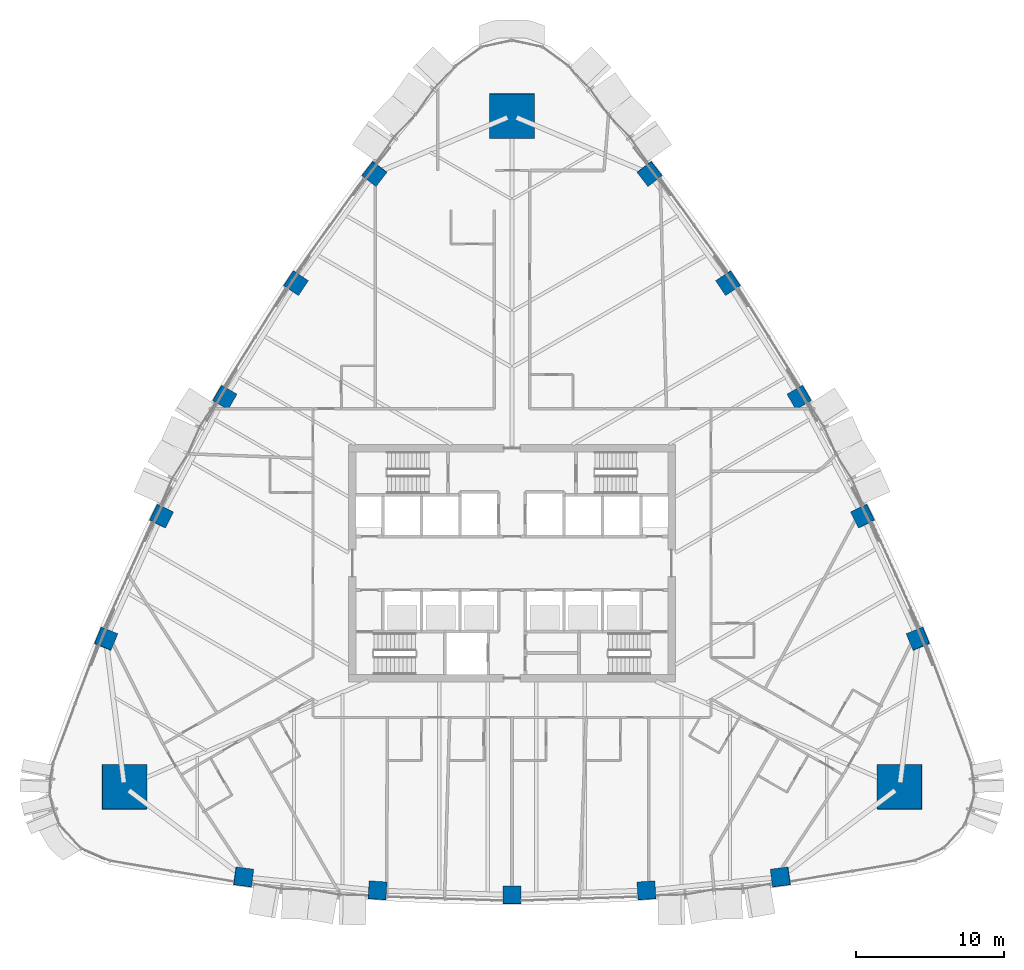
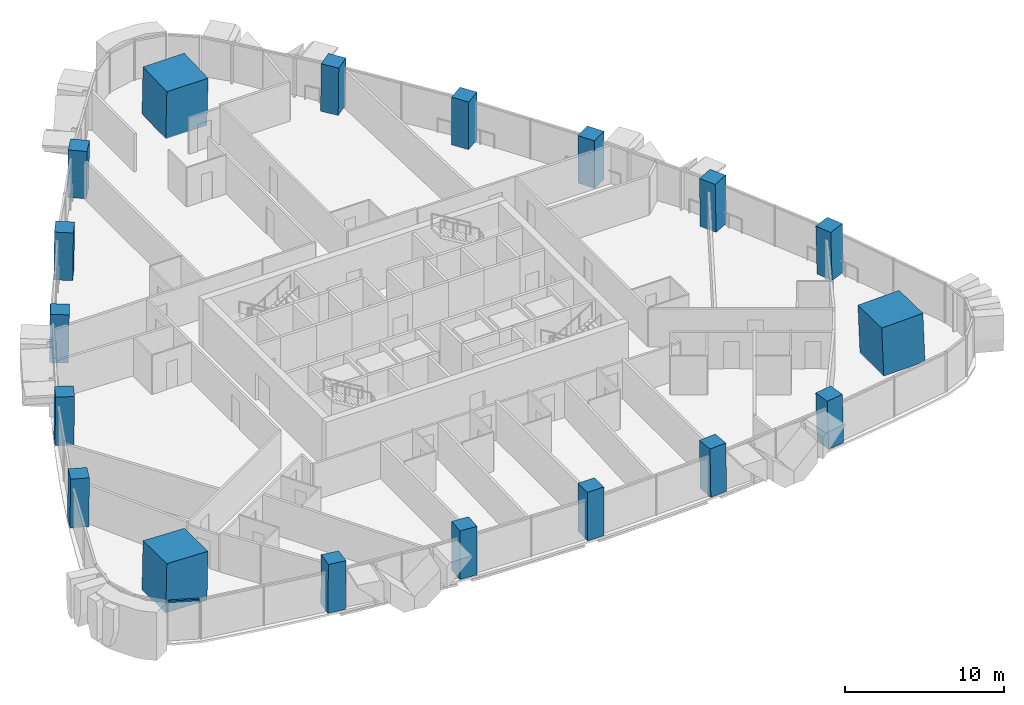
# One storey, part 1 of 18: 18 columns, 1 member, 1 element without a shape of its own.
"""IFC4 building model written with IfcOpenShell, lengths in metres."""

from ifc_helpers import new_model, si_unit, direction, frame, origin, origin_2d, place, context, subcontext, project, spatial, rectangle, extrude, material, layer, layer_set, material_profile, profile_set, type_object, element, aggregate, save


model = new_model("IFC4")

# Units and contexts
model_context = context("Model", 3, precision=1e-05, world=origin(), true_north=direction((0.0, 1.0)))
body_context = subcontext(model_context, "Body", "Model", "MODEL_VIEW")
ifc_project = project(units=[si_unit("LENGTHUNIT", "METRE"), si_unit("AREAUNIT", "SQUARE_METRE"), si_unit("VOLUMEUNIT", "CUBIC_METRE"), si_unit("PLANEANGLEUNIT", "RADIAN"), si_unit("MASSUNIT", "GRAM", prefix="KILO")], contexts=[model_context])

# Site, building, storey
site_placement = place(None, origin())
site = spatial("IfcSite", under=ifc_project, at=site_placement, CompositionType="ELEMENT")
building_placement = place(site_placement, origin())
building = spatial("IfcBuilding", under=site, at=building_placement, Name="Sierra Prisma Convention Tower", CompositionType="ELEMENT")
storey_placement = place(building_placement, frame((0.0, 0.0, 85.0)))
storey = spatial("IfcBuildingStorey", under=building, at=storey_placement, Name="L17", CompositionType="ELEMENT", Elevation=85.0)

# Columns
ifc_material_1 = material(Name="Concrete C60/75", Category="concrete")
ifc_material_profile_1 = material_profile(ifc_material_1, rectangle(XDim=3.0, YDim=3.0, at=origin_2d()), Name="Mega column RC 3000 C60/75")
ifc_profile_set_1 = profile_set([ifc_material_profile_1], Name="Concrete C60/75")
column_type_1 = type_object("IfcColumnType", Name="Mega column RC 3000 C60/75", PredefinedType="COLUMN", material=ifc_profile_set_1)
for number, where, z_axis, x_axis, name in (
    (1, (26.110595703125, -15.074951171875, 0.0), (-0.030466109479, 0.017607037296, 0.999380712447), (0.999535800346, 0.000536667047, 0.03046138236), "Mega column SE L17"),
    (2, (0.0, 30.150146484375, 0.0), (0.0, -0.035214042205, 0.999379793288), (1.0, 0.0, 0.0), "Mega column N L17"),
    (3, (-26.110595703125, -15.074951171875, 0.0), (0.030466109479, 0.017607037296, 0.999380712447), (0.999535800346, -0.000536667047, -0.03046138236), "Mega column SW L17"),
):
    element("IfcColumn", number, at=place(storey_placement, frame(where, z_axis=z_axis, x_axis=x_axis)), inside=storey, type_object=column_type_1, Name=name, PredefinedType="COLUMN", context=body_context, shape_type="SweptSolid", body=[
        extrude(rectangle(XDim=3.0, YDim=3.0, at=origin_2d()), origin(), (0.0, 0.0, 1.0), 3.7021484375),
    ])
ifc_material_2 = material(Name="Concrete C60/75", Category="concrete")
ifc_material_profile_2 = material_profile(ifc_material_2, rectangle(XDim=1.199951171875, YDim=1.199951171875, at=origin_2d()), Name="Perimeter column RC 1200 C60/75")
ifc_profile_set_2 = profile_set([ifc_material_profile_2], Name="Concrete C60/75")
column_type_2 = type_object("IfcColumnType", Name="Perimeter column RC 1200 C60/75", PredefinedType="COLUMN", material=ifc_profile_set_2)
column_1_placement = place(storey_placement, frame((-18.08837890625, -21.14501953125, 0.0), z_axis=(0.019196808933, 0.011346567479, 0.99975133805), x_axis=(-0.991022032909, 0.132545119301, 0.017524886246)))
element("IfcColumn", 4, at=column_1_placement, inside=storey, type_object=column_type_2, Name="Perimeter column S-1 L17", PredefinedType="COLUMN", context=body_context, shape_type="SweptSolid", body=[
    extrude(rectangle(XDim=1.199951171875, YDim=1.199951171875, at=origin_2d()), origin(), (0.0, 0.0, 1.0), 3.700927734375),
])
column_2_placement = place(storey_placement, frame((-9.064208984375, -22.04638671875, 0.0), z_axis=(0.00963262733, 0.012139749512, 0.999879912276), x_axis=(-0.99775239864, 0.06642749461, 0.008805621326)))
element("IfcColumn", 5, at=column_2_placement, inside=storey, type_object=column_type_2, Name="Perimeter column S-2 L17", PredefinedType="COLUMN", context=body_context, shape_type="SweptSolid", body=[
    extrude(rectangle(XDim=1.199951171875, YDim=1.199951171875, at=origin_2d()), origin(), (0.0, 0.0, 1.0), 3.700439453125),
])
column_3_placement = place(storey_placement, frame((0.0, -22.34716796875, 0.0), z_axis=(0.0, 0.012338222751, 0.999923881233), x_axis=(1.0, 0.0, 0.0)))
element("IfcColumn", 6, at=column_3_placement, inside=storey, type_object=column_type_2, Name="Perimeter column S-3 L17", PredefinedType="COLUMN", context=body_context, shape_type="SweptSolid", body=[
    extrude(rectangle(XDim=1.199951171875, YDim=1.199951171875, at=origin_2d()), origin(), (0.0, 0.0, 1.0), 3.7001953125),
])
column_4_placement = place(storey_placement, frame((9.064208984375, -22.04638671875, 0.0), z_axis=(-0.00963262733, 0.012139749512, 0.999879912276), x_axis=(0.99775239864, 0.06642749461, 0.008805621326)))
element("IfcColumn", 7, at=column_4_placement, inside=storey, type_object=column_type_2, Name="Perimeter column S-4 L17", PredefinedType="COLUMN", context=body_context, shape_type="SweptSolid", body=[
    extrude(rectangle(XDim=1.199951171875, YDim=1.199951171875, at=origin_2d()), origin(), (0.0, 0.0, 1.0), 3.700439453125),
])
for number, where, z_axis, x_axis, name in (
    (8, (18.08837890625, -21.14501953125, 0.0), (-0.019196808933, 0.011346567479, 0.99975133805), (0.991022032909, 0.132545119301, 0.017524886246), "Perimeter column S-5 L17"),
    (9, (27.356201171875, -5.0927734375, 0.0), (-0.019394711647, 0.011016723963, 0.999751207528), (-0.380922870909, 0.924439738962, -0.017576559581), "Perimeter column NE-1 L17"),
):
    element("IfcColumn", number, at=place(storey_placement, frame(where, z_axis=z_axis, x_axis=x_axis)), inside=storey, type_object=column_type_2, Name=name, PredefinedType="COLUMN", context=body_context, shape_type="SweptSolid", body=[
        extrude(rectangle(XDim=1.199951171875, YDim=1.199951171875, at=origin_2d()), origin(), (0.0, 0.0, 1.0), 3.700927734375),
    ])
column_5_placement = place(storey_placement, frame((23.624755859375, 3.17333984375, 0.0), z_axis=(-0.015306647086, 0.002243215521, 0.999880330109), x_axis=(-0.441416548543, 0.897259444475, -0.008770403192)))
element("IfcColumn", 10, at=column_5_placement, inside=storey, type_object=column_type_2, Name="Perimeter column NE-2 L17", PredefinedType="COLUMN", context=body_context, shape_type="SweptSolid", body=[
    extrude(rectangle(XDim=1.199951171875, YDim=1.199951171875, at=origin_2d()), origin(), (0.0, 0.0, 1.0), 3.700439453125),
])
column_6_placement = place(storey_placement, frame((19.353271484375, 11.173583984375, 0.0), z_axis=(-0.010688725148, -0.006202099777, 0.999923639641), x_axis=(-0.499971436973, 0.8660418936, 2.7223042e-05)))
element("IfcColumn", 11, at=column_6_placement, inside=storey, type_object=column_type_2, Name="Perimeter column NE-3 L17", PredefinedType="COLUMN", context=body_context, shape_type="SweptSolid", body=[
    extrude(rectangle(XDim=1.199951171875, YDim=1.199951171875, at=origin_2d()), origin(), (0.0, 0.0, 1.0), 3.7001953125),
])
column_7_placement = place(storey_placement, frame((14.560546875, 18.873046875, 0.0), z_axis=(-0.005674011074, -0.014448935178, 0.999879509676), x_axis=(-0.556321467774, 0.830920029173, 0.008850401858)))
element("IfcColumn", 12, at=column_7_placement, inside=storey, type_object=column_type_2, Name="Perimeter column NE-4 L17", PredefinedType="COLUMN", context=body_context, shape_type="SweptSolid", body=[
    extrude(rectangle(XDim=1.199951171875, YDim=1.199951171875, at=origin_2d()), origin(), (0.0, 0.0, 1.0), 3.700439453125),
])
for number, where, z_axis, x_axis, name in (
    (13, (9.267822265625, 26.237548828125, 0.0), (-0.000197905252, -0.022297325047, 0.999751364155), (-0.610210141794, 0.792045319252, 0.017544090233), "Perimeter column NE-5 L17"),
    (14, (-9.267822265625, 26.237548828125, 0.0), (0.000197905252, -0.022297325047, 0.999751364155), (0.610210141794, 0.792045319252, 0.017544090233), "Perimeter column NW-1 L17"),
):
    element("IfcColumn", number, at=place(storey_placement, frame(where, z_axis=z_axis, x_axis=x_axis)), inside=storey, type_object=column_type_2, Name=name, PredefinedType="COLUMN", context=body_context, shape_type="SweptSolid", body=[
        extrude(rectangle(XDim=1.199951171875, YDim=1.199951171875, at=origin_2d()), origin(), (0.0, 0.0, 1.0), 3.700927734375),
    ])
column_8_placement = place(storey_placement, frame((-14.560546875, 18.873046875, 0.0), z_axis=(0.005674011074, -0.014448935178, 0.999879509676), x_axis=(0.556321467774, 0.830920029173, 0.008850401858)))
element("IfcColumn", 15, at=column_8_placement, inside=storey, type_object=column_type_2, Name="Perimeter column NW-2 L17", PredefinedType="COLUMN", context=body_context, shape_type="SweptSolid", body=[
    extrude(rectangle(XDim=1.199951171875, YDim=1.199951171875, at=origin_2d()), origin(), (0.0, 0.0, 1.0), 3.700439453125),
])
column_9_placement = place(storey_placement, frame((-19.353271484375, 11.173583984375, 0.0), z_axis=(0.010688725148, -0.006202099777, 0.999923639641), x_axis=(0.499971436973, 0.8660418936, 2.7223042e-05)))
element("IfcColumn", 16, at=column_9_placement, inside=storey, type_object=column_type_2, Name="Perimeter column NW-3 L17", PredefinedType="COLUMN", context=body_context, shape_type="SweptSolid", body=[
    extrude(rectangle(XDim=1.199951171875, YDim=1.199951171875, at=origin_2d()), origin(), (0.0, 0.0, 1.0), 3.7001953125),
])
column_10_placement = place(storey_placement, frame((-23.624755859375, 3.17333984375, 0.0), z_axis=(0.015306647086, 0.002243215521, 0.999880330109), x_axis=(0.441416548543, 0.897259444475, -0.008770403192)))
element("IfcColumn", 17, at=column_10_placement, inside=storey, type_object=column_type_2, Name="Perimeter column NW-4 L17", PredefinedType="COLUMN", context=body_context, shape_type="SweptSolid", body=[
    extrude(rectangle(XDim=1.199951171875, YDim=1.199951171875, at=origin_2d()), origin(), (0.0, 0.0, 1.0), 3.700439453125),
])
column_11_placement = place(storey_placement, frame((-27.356201171875, -5.0927734375, 0.0), z_axis=(0.019394711647, 0.011016723963, 0.999751207528), x_axis=(0.380922870909, 0.924439738962, -0.017576559581)))
element("IfcColumn", 18, at=column_11_placement, inside=storey, type_object=column_type_2, Name="Perimeter column NW-5 L17", PredefinedType="COLUMN", context=body_context, shape_type="SweptSolid", body=[
    extrude(rectangle(XDim=1.199951171875, YDim=1.199951171875, at=origin_2d()), origin(), (0.0, 0.0, 1.0), 3.700927734375),
])

# Curtain wall, member
ifc_material_3 = material(Name="Aluminium and glass curtain wall", Category="aluminium")
ifc_layer = layer(ifc_material_3, 0.179931640625)
ifc_layer_set = layer_set([ifc_layer], Name="CW-1 Plain shaft curtain wall")
curtain_wall_type = type_object("IfcCurtainWallType", Name="CW-1 Plain shaft curtain wall", PredefinedType="NOTDEFINED", material=ifc_layer_set)
curtain_wall_placement = place(storey_placement, origin())
curtain_wall = element("IfcCurtainWall", 19, at=curtain_wall_placement, inside=storey, type_object=curtain_wall_type, Name="CW-1 SW4 L17", PredefinedType="NOTDEFINED")
ifc_material_4 = material(Name="Aluminium 6063-T6 bronze anodised", Category="aluminium")
ifc_material_profile_3 = material_profile(ifc_material_4, rectangle(XDim=0.139892578125, YDim=0.1201171875, at=origin_2d()), Name="ALU TRANSOM 120x140")
ifc_profile_set_3 = profile_set([ifc_material_profile_3], Name="Aluminium 6063-T6 bronze anodised")
member_type = type_object("IfcMemberType", Name="CW transom bronze", PredefinedType="USERDEFINED", material=ifc_profile_set_3)
member_placement = place(storey_placement, frame((-29.001953125, -19.21533203125, 3.0400390625), z_axis=(0.916660265584, -0.39966730852, 0.0), x_axis=(0.39966730852, 0.916660265584, 0.0)))
member = element("IfcMember", 20, at=member_placement, type_object=member_type, Name="CW-1 transom SW4.1", ObjectType="TRANSOM", PredefinedType="USERDEFINED", context=body_context, shape_type="SweptSolid", body=[
    extrude(rectangle(XDim=0.139892578125, YDim=0.1201171875, at=origin_2d()), origin(), (0.0, 0.0, 1.0), 1.991455078125),
])
aggregate(curtain_wall, [member])

save(model, "model.ifc")
